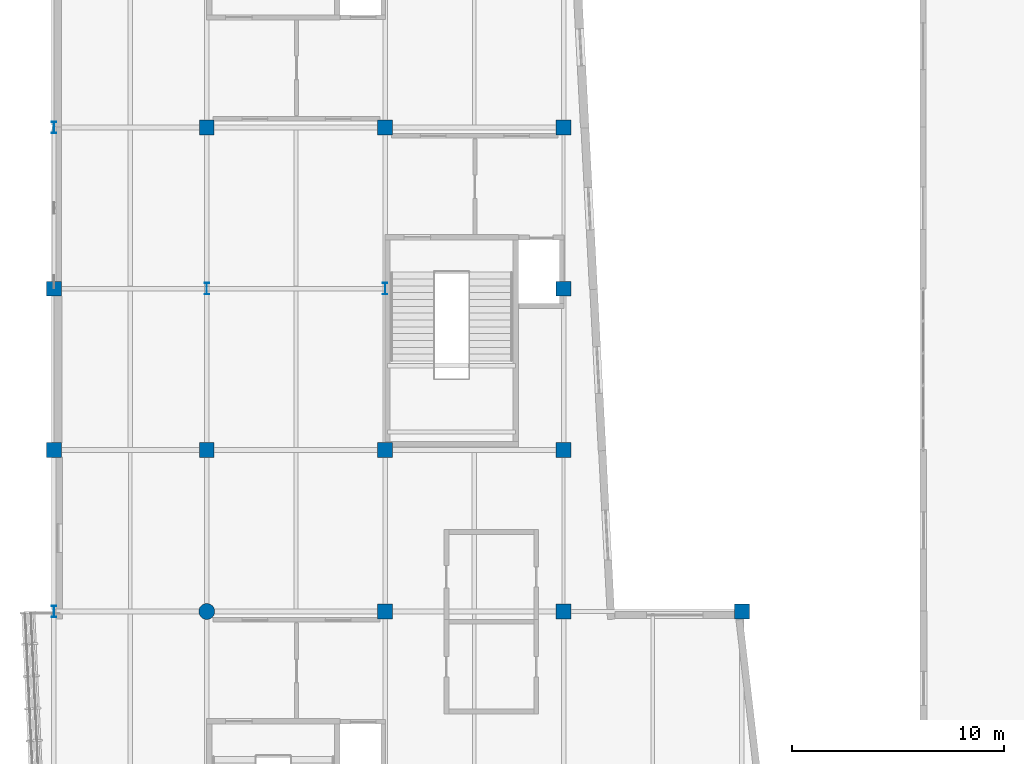
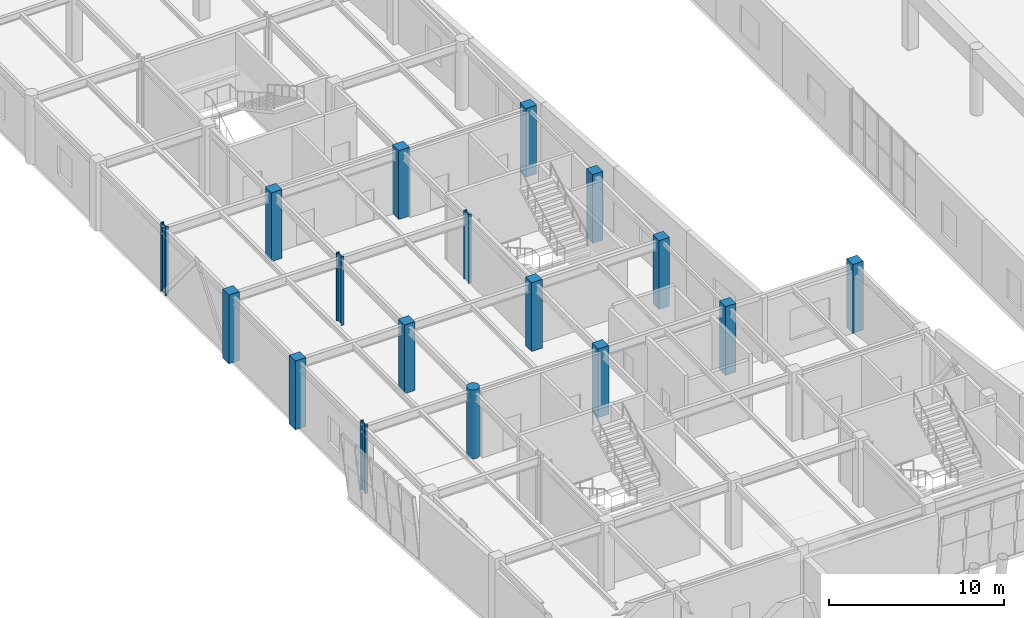
# One storey, part 3 of 72: 17 columns.
"""IFC4 building model written with IfcOpenShell, lengths in metres."""

from ifc_helpers import new_model, si_unit, direction, frame, origin, origin_2d, place, context, subcontext, project, spatial, rectangle, circle, i_section, extrude, material, material_profile, profile_set, type_object, element, save


model = new_model("IFC4")

# Units and contexts
model_context = context("Model", 3, precision=1e-05, world=origin(), true_north=direction((0.0, 1.0)))
body_context = subcontext(model_context, "Body", "Model", "MODEL_VIEW")
ifc_project = project(units=[si_unit("LENGTHUNIT", "METRE"), si_unit("AREAUNIT", "SQUARE_METRE"), si_unit("VOLUMEUNIT", "CUBIC_METRE"), si_unit("PLANEANGLEUNIT", "RADIAN"), si_unit("MASSUNIT", "GRAM", prefix="KILO")], contexts=[model_context])

# Site, building, storey
site_placement = place(None, origin())
site = spatial("IfcSite", under=ifc_project, at=site_placement, CompositionType="ELEMENT")
building_placement = place(site_placement, origin())
building = spatial("IfcBuilding", under=site, at=building_placement, Name="Xicomal Pleat Aquarium", CompositionType="ELEMENT")
storey_placement = place(building_placement, frame((0.0, 0.0, 10.5)))
storey = spatial("IfcBuildingStorey", under=building, at=storey_placement, Name="L03", CompositionType="ELEMENT", Elevation=10.5)

# Columns
ifc_material_1 = material(Name="Concrete C40/50", Category="concrete")
ifc_material_profile_1 = material_profile(ifc_material_1, rectangle(XDim=0.699951171875, YDim=0.699951171875, at=origin_2d()), Name="RC 700x700")
ifc_profile_set_1 = profile_set([ifc_material_profile_1], Name="Concrete C40/50")
column_type_1 = type_object("IfcColumnType", Name="COL-RC-700x700", PredefinedType="COLUMN", material=ifc_profile_set_1)
for number, where, z_axis, x_axis, name in (
    (1, (3.0, 45.60009765625, 0.0), (0.0, 0.0, 1.0), (1.0, 0.0, 0.0), "L03 column 01/G"),
    (2, (3.0, 53.199951171875, 0.0), (0.0, 0.0, 1.0), (1.0, 0.0, 0.0), "L03 column 01/H"),
    (3, (10.199951171875, 45.60009765625, 0.0), (0.0, 0.0, 1.0), (1.0, 0.0, 0.0), "L03 column 02/G"),
    (4, (10.199951171875, 60.800048828125, 0.0), (0.0, 0.0, 1.0), (1.0, 0.0, 0.0), "L03 column 02/J"),
    (5, (18.60009765625, 38.0, 0.0), (0.0, 0.0, 1.0), (1.0, 0.0, 0.0), "L03 column 03/F"),
    (6, (18.60009765625, 45.60009765625, 0.0), (0.0, 0.0, 1.0), (1.0, 0.0, 0.0), "L03 column 03/G"),
    (7, (18.60009765625, 60.800048828125, 0.0), (0.0, 0.0, 1.0), (1.0, 0.0, 0.0), "L03 column 03/J"),
    (8, (27.0, 38.0, 0.0), (0.0, 0.0, 1.0), (1.0, 0.0, 0.0), "L03 column 04/F"),
    (9, (27.0, 45.60009765625, 0.0), (0.0, 0.0, 1.0), (1.0, 0.0, 0.0), "L03 column 04/G"),
    (10, (27.0, 53.199951171875, 0.0), (0.0, 0.0, 1.0), (1.0, 0.0, 0.0), "L03 column 04/H"),
    (11, (27.0, 60.800048828125, 0.0), (0.0, 0.0, 1.0), (1.0, 0.0, 0.0), "L03 column 04/J"),
    (12, (35.39990234375, 38.0, 0.0), (0.0, 0.0, 1.0), (1.0, 0.0, 0.0), "L03 column 05/F"),
):
    element("IfcColumn", number, at=place(storey_placement, frame(where, z_axis=z_axis, x_axis=x_axis)), inside=storey, type_object=column_type_1, Name=name, PredefinedType="COLUMN", context=body_context, shape_type="SweptSolid", body=[
        extrude(rectangle(XDim=0.699951171875, YDim=0.699951171875, at=origin_2d()), origin(), (0.0, 0.0, 1.0), 4.800048828125),
    ])
ifc_material_2 = material(Name="Concrete C40/50", Category="concrete")
ifc_material_profile_2 = material_profile(ifc_material_2, circle(Radius=0.375, at=origin_2d()), Name="RCC D750")
ifc_profile_set_2 = profile_set([ifc_material_profile_2], Name="Concrete C40/50")
column_type_2 = type_object("IfcColumnType", Name="COL-RCC-D750", PredefinedType="COLUMN", material=ifc_profile_set_2)
column_placement = place(storey_placement, frame((10.199951171875, 38.0, 0.0), z_axis=(0.0, 0.0, 1.0), x_axis=(1.0, 0.0, 0.0)))
element("IfcColumn", 13, at=column_placement, inside=storey, type_object=column_type_2, Name="L03 column 02/F", PredefinedType="COLUMN", context=body_context, shape_type="SweptSolid", body=[
    extrude(circle(Radius=0.375, at=origin_2d()), origin(), (0.0, 0.0, 1.0), 4.800048828125),
])
ifc_material_3 = material(Name="Structural steel A992 Gr 50", Category="steel")
ifc_material_profile_3 = material_profile(ifc_material_3, i_section(OverallWidth=0.2119140625, OverallDepth=0.5439453125, WebThickness=0.01318359375, FlangeThickness=0.021240234375, at=origin_2d()), Name="IR 530x123")
ifc_profile_set_3 = profile_set([ifc_material_profile_3], Name="Structural steel A992 Gr 50")
column_type_3 = type_object("IfcColumnType", Name="COL-STL-IR530", PredefinedType="COLUMN", material=ifc_profile_set_3)
for number, where, z_axis, x_axis, name in (
    (14, (3.0, 38.0, 0.0), (0.0, 0.0, 1.0), (1.0, 0.0, 0.0), "L03 column 01/F"),
    (15, (3.0, 60.800048828125, 0.0), (0.0, 0.0, 1.0), (1.0, 0.0, 0.0), "L03 column 01/J"),
    (16, (10.199951171875, 53.199951171875, 0.0), (0.0, 0.0, 1.0), (1.0, 0.0, 0.0), "L03 column 02/H"),
    (17, (18.60009765625, 53.199951171875, 0.0), (0.0, 0.0, 1.0), (1.0, 0.0, 0.0), "L03 column 03/H"),
):
    element("IfcColumn", number, at=place(storey_placement, frame(where, z_axis=z_axis, x_axis=x_axis)), inside=storey, type_object=column_type_3, Name=name, PredefinedType="COLUMN", context=body_context, shape_type="SweptSolid", body=[
        extrude(i_section(OverallWidth=0.2119140625, OverallDepth=0.5439453125, WebThickness=0.01318359375, FlangeThickness=0.021240234375, at=origin_2d()), origin(), (0.0, 0.0, 1.0), 4.800048828125),
    ])

save(model, "model.ifc")
